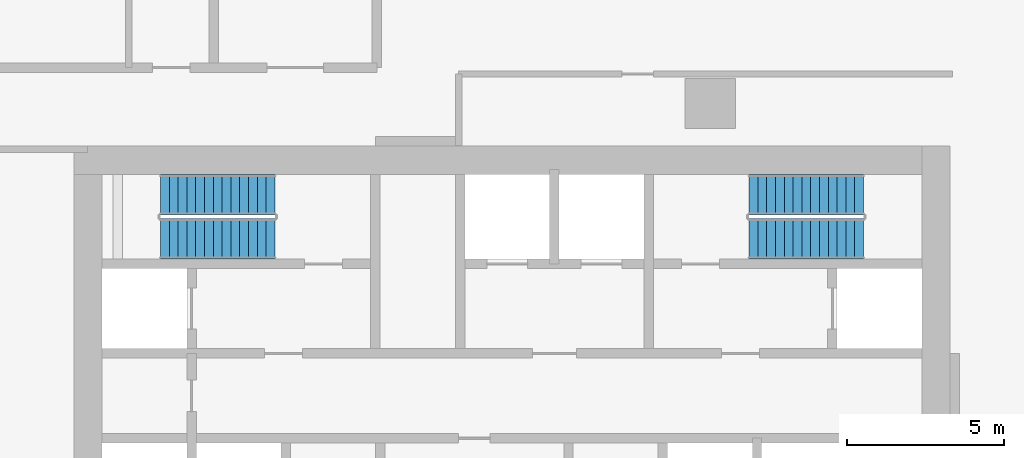
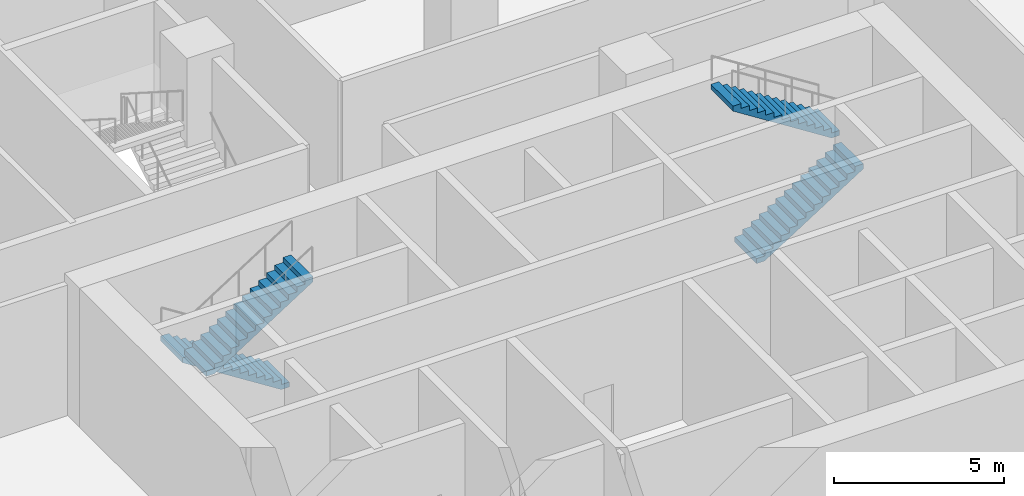
# One storey, part 13 of 31: 4 stair flights, 2 elements without a shape of their own.
"""IFC4 building model written with IfcOpenShell, lengths in metres."""

from ifc_helpers import new_model, si_unit, direction, frame, origin, place, context, subcontext, project, spatial, triangles, source, transform, mapped, material, type_object, element, aggregate, save


model = new_model("IFC4")

# Units and contexts
model_context = context("Model", 3, precision=1e-05, world=origin(), true_north=direction((0.0, 1.0)))
body_context = subcontext(model_context, "Body", "Model", "MODEL_VIEW")
ifc_project = project(units=[si_unit("LENGTHUNIT", "METRE"), si_unit("AREAUNIT", "SQUARE_METRE"), si_unit("VOLUMEUNIT", "CUBIC_METRE"), si_unit("PLANEANGLEUNIT", "RADIAN"), si_unit("MASSUNIT", "GRAM", prefix="KILO")], contexts=[model_context])

# Site, building, storey
site_placement = place(None, origin())
site = spatial("IfcSite", under=ifc_project, at=site_placement, CompositionType="ELEMENT")
building_placement = place(site_placement, origin())
building = spatial("IfcBuilding", under=site, at=building_placement, Name="Ogive Portal Towers", CompositionType="ELEMENT")
storey_placement = place(building_placement, frame((0.0, 0.0, 13.5)))
storey = spatial("IfcBuildingStorey", under=building, at=storey_placement, Name="L02", CompositionType="ELEMENT", Elevation=13.5)

# Stair, stair flights
ifc_material = material(Name="Concrete C40/50", Category="concrete")
stair_type = type_object("IfcStairType", Name="INT-STAIR", PredefinedType="HALF_TURN_STAIR", material=ifc_material)
stair_1_placement = place(storey_placement, origin())
stair_1 = element("IfcStair", 1, at=stair_1_placement, inside=storey, type_object=stair_type, Name="L02 Exit Stair ST-A1", PredefinedType="HALF_TURN_STAIR")
stair_flight_type = type_object("IfcStairFlightType", Name="INT-FLIGHT", PredefinedType="STRAIGHT", material=ifc_material)
shared_shape = source(origin(), body_context, "Body", "Tessellation", [
    triangles([(0.0, -0.650146484375, 0.0), (0.0, -0.376220703125, 0.0), (0.0, -0.192626953125, 0.0), (0.0, -0.081298828125, 0.0), (0.0, -0.024169921875, 0.0), (0.0, -0.003173828125, 0.0), (0.0, 0.0, 0.0), (0.0, 0.0029296875, 0.0), (0.0, 0.02392578125, 0.0), (0.0, 0.0810546875, 0.0), (0.0, 0.1923828125, 0.0), (0.0, 0.3759765625, 0.0), (0.0, 0.64990234375, 0.0), (0.0, -0.650146484375, 0.178466796875), (0.0, -0.376220703125, 0.178466796875), (0.0, -0.192626953125, 0.178466796875), (0.0, -0.081298828125, 0.178466796875), (0.0, -0.024169921875, 0.178466796875), (0.0, -0.003173828125, 0.178466796875), (0.0, 0.0, 0.178466796875), (0.0, 0.0029296875, 0.178466796875), (0.0, 0.02392578125, 0.178466796875), (0.0, 0.0810546875, 0.178466796875), (0.0, 0.1923828125, 0.178466796875), (0.0, 0.3759765625, 0.178466796875), (0.0, 0.64990234375, 0.178466796875), (0.280029296875, -0.650146484375, 0.178466796875), (0.280029296875, -0.376220703125, 0.178466796875), (0.280029296875, -0.192626953125, 0.178466796875), (0.280029296875, -0.081298828125, 0.178466796875), (0.280029296875, -0.024169921875, 0.178466796875), (0.280029296875, -0.003173828125, 0.178466796875), (0.280029296875, 0.0, 0.178466796875), (0.280029296875, 0.0029296875, 0.178466796875), (0.280029296875, 0.02392578125, 0.178466796875), (0.280029296875, 0.0810546875, 0.178466796875), (0.280029296875, 0.1923828125, 0.178466796875), (0.280029296875, 0.3759765625, 0.178466796875), (0.280029296875, 0.64990234375, 0.178466796875), (0.280029296875, -0.650146484375, 0.357177734375), (0.280029296875, -0.376220703125, 0.357177734375), (0.280029296875, -0.192626953125, 0.357177734375), (0.280029296875, -0.081298828125, 0.357177734375), (0.280029296875, -0.024169921875, 0.357177734375), (0.280029296875, -0.003173828125, 0.357177734375), (0.280029296875, 0.0, 0.357177734375), (0.280029296875, 0.0029296875, 0.357177734375), (0.280029296875, 0.02392578125, 0.357177734375), (0.280029296875, 0.0810546875, 0.357177734375), (0.280029296875, 0.1923828125, 0.357177734375), (0.280029296875, 0.3759765625, 0.357177734375), (0.280029296875, 0.64990234375, 0.357177734375), (0.56005859375, -0.650146484375, 0.357177734375), (0.56005859375, -0.376220703125, 0.357177734375), (0.56005859375, -0.192626953125, 0.357177734375), (0.56005859375, -0.081298828125, 0.357177734375), (0.56005859375, -0.024169921875, 0.357177734375), (0.56005859375, -0.003173828125, 0.357177734375), (0.56005859375, 0.0, 0.357177734375), (0.56005859375, 0.0029296875, 0.357177734375), (0.56005859375, 0.02392578125, 0.357177734375), (0.56005859375, 0.0810546875, 0.357177734375), (0.56005859375, 0.1923828125, 0.357177734375), (0.56005859375, 0.3759765625, 0.357177734375), (0.56005859375, 0.64990234375, 0.357177734375), (0.56005859375, -0.650146484375, 0.53564453125), (0.56005859375, -0.376220703125, 0.53564453125), (0.56005859375, -0.192626953125, 0.53564453125), (0.56005859375, -0.081298828125, 0.53564453125), (0.56005859375, -0.024169921875, 0.53564453125), (0.56005859375, -0.003173828125, 0.53564453125), (0.56005859375, 0.0, 0.53564453125), (0.56005859375, 0.0029296875, 0.53564453125), (0.56005859375, 0.02392578125, 0.53564453125), (0.56005859375, 0.0810546875, 0.53564453125), (0.56005859375, 0.1923828125, 0.53564453125), (0.56005859375, 0.3759765625, 0.53564453125), (0.56005859375, 0.64990234375, 0.53564453125), (0.840087890625, -0.650146484375, 0.53564453125), (0.840087890625, -0.376220703125, 0.53564453125), (0.840087890625, -0.192626953125, 0.53564453125), (0.840087890625, -0.081298828125, 0.53564453125), (0.840087890625, -0.024169921875, 0.53564453125), (0.840087890625, -0.003173828125, 0.53564453125), (0.840087890625, 0.0, 0.53564453125), (0.840087890625, 0.0029296875, 0.53564453125), (0.840087890625, 0.02392578125, 0.53564453125), (0.840087890625, 0.0810546875, 0.53564453125), (0.840087890625, 0.1923828125, 0.53564453125), (0.840087890625, 0.3759765625, 0.53564453125), (0.840087890625, 0.64990234375, 0.53564453125), (0.840087890625, -0.650146484375, 0.71435546875), (0.840087890625, -0.376220703125, 0.71435546875), (0.840087890625, -0.192626953125, 0.71435546875), (0.840087890625, -0.081298828125, 0.71435546875), (0.840087890625, -0.024169921875, 0.71435546875), (0.840087890625, -0.003173828125, 0.71435546875), (0.840087890625, 0.0, 0.71435546875), (0.840087890625, 0.0029296875, 0.71435546875), (0.840087890625, 0.02392578125, 0.71435546875), (0.840087890625, 0.0810546875, 0.71435546875), (0.840087890625, 0.1923828125, 0.71435546875), (0.840087890625, 0.3759765625, 0.71435546875), (0.840087890625, 0.64990234375, 0.71435546875), (1.1201171875, -0.650146484375, 0.71435546875), (1.1201171875, -0.376220703125, 0.71435546875), (1.1201171875, -0.192626953125, 0.71435546875), (1.1201171875, -0.081298828125, 0.71435546875), (1.1201171875, -0.024169921875, 0.71435546875), (1.1201171875, -0.003173828125, 0.71435546875), (1.1201171875, 0.0, 0.71435546875), (1.1201171875, 0.0029296875, 0.71435546875), (1.1201171875, 0.02392578125, 0.71435546875), (1.1201171875, 0.0810546875, 0.71435546875), (1.1201171875, 0.1923828125, 0.71435546875), (1.1201171875, 0.3759765625, 0.71435546875), (1.1201171875, 0.64990234375, 0.71435546875), (1.1201171875, -0.650146484375, 0.892822265625), (1.1201171875, -0.376220703125, 0.892822265625), (1.1201171875, -0.192626953125, 0.892822265625), (1.1201171875, -0.081298828125, 0.892822265625), (1.1201171875, -0.024169921875, 0.892822265625), (1.1201171875, -0.003173828125, 0.892822265625), (1.1201171875, 0.0, 0.892822265625), (1.1201171875, 0.0029296875, 0.892822265625), (1.1201171875, 0.02392578125, 0.892822265625), (1.1201171875, 0.0810546875, 0.892822265625), (1.1201171875, 0.1923828125, 0.892822265625), (1.1201171875, 0.3759765625, 0.892822265625), (1.1201171875, 0.64990234375, 0.892822265625), (1.39990234375, -0.650146484375, 0.892822265625), (1.39990234375, -0.376220703125, 0.892822265625), (1.39990234375, -0.192626953125, 0.892822265625), (1.39990234375, -0.081298828125, 0.892822265625), (1.39990234375, -0.024169921875, 0.892822265625), (1.39990234375, -0.003173828125, 0.892822265625), (1.39990234375, 0.0, 0.892822265625), (1.39990234375, 0.0029296875, 0.892822265625), (1.39990234375, 0.02392578125, 0.892822265625), (1.39990234375, 0.0810546875, 0.892822265625), (1.39990234375, 0.1923828125, 0.892822265625), (1.39990234375, 0.3759765625, 0.892822265625), (1.39990234375, 0.64990234375, 0.892822265625), (1.39990234375, -0.650146484375, 1.071533203125), (1.39990234375, -0.376220703125, 1.071533203125), (1.39990234375, -0.192626953125, 1.071533203125), (1.39990234375, -0.081298828125, 1.071533203125), (1.39990234375, -0.024169921875, 1.071533203125), (1.39990234375, -0.003173828125, 1.071533203125), (1.39990234375, 0.0, 1.071533203125), (1.39990234375, 0.0029296875, 1.071533203125), (1.39990234375, 0.02392578125, 1.071533203125), (1.39990234375, 0.0810546875, 1.071533203125), (1.39990234375, 0.1923828125, 1.071533203125), (1.39990234375, 0.3759765625, 1.071533203125), (1.39990234375, 0.64990234375, 1.071533203125), (1.679931640625, -0.650146484375, 1.071533203125), (1.679931640625, -0.376220703125, 1.071533203125), (1.679931640625, -0.192626953125, 1.071533203125), (1.679931640625, -0.081298828125, 1.071533203125), (1.679931640625, -0.024169921875, 1.071533203125), (1.679931640625, -0.003173828125, 1.071533203125), (1.679931640625, 0.0, 1.071533203125), (1.679931640625, 0.0029296875, 1.071533203125), (1.679931640625, 0.02392578125, 1.071533203125), (1.679931640625, 0.0810546875, 1.071533203125), (1.679931640625, 0.1923828125, 1.071533203125), (1.679931640625, 0.3759765625, 1.071533203125), (1.679931640625, 0.64990234375, 1.071533203125), (1.679931640625, -0.650146484375, 1.25), (1.679931640625, -0.376220703125, 1.25), (1.679931640625, -0.192626953125, 1.25), (1.679931640625, -0.081298828125, 1.25), (1.679931640625, -0.024169921875, 1.25), (1.679931640625, -0.003173828125, 1.25), (1.679931640625, 0.0, 1.25), (1.679931640625, 0.0029296875, 1.25), (1.679931640625, 0.02392578125, 1.25), (1.679931640625, 0.0810546875, 1.25), (1.679931640625, 0.1923828125, 1.25), (1.679931640625, 0.3759765625, 1.25), (1.679931640625, 0.64990234375, 1.25), (1.9599609375, -0.650146484375, 1.25), (1.9599609375, -0.376220703125, 1.25), (1.9599609375, -0.192626953125, 1.25), (1.9599609375, -0.081298828125, 1.25), (1.9599609375, -0.024169921875, 1.25), (1.9599609375, -0.003173828125, 1.25), (1.9599609375, 0.0, 1.25), (1.9599609375, 0.0029296875, 1.25), (1.9599609375, 0.02392578125, 1.25), (1.9599609375, 0.0810546875, 1.25), (1.9599609375, 0.1923828125, 1.25), (1.9599609375, 0.3759765625, 1.25), (1.9599609375, 0.64990234375, 1.25), (1.9599609375, -0.650146484375, 1.428466796875), (1.9599609375, -0.376220703125, 1.428466796875), (1.9599609375, -0.192626953125, 1.428466796875), (1.9599609375, -0.081298828125, 1.428466796875), (1.9599609375, -0.024169921875, 1.428466796875), (1.9599609375, -0.003173828125, 1.428466796875), (1.9599609375, 0.0, 1.428466796875), (1.9599609375, 0.0029296875, 1.428466796875), (1.9599609375, 0.02392578125, 1.428466796875), (1.9599609375, 0.0810546875, 1.428466796875), (1.9599609375, 0.1923828125, 1.428466796875), (1.9599609375, 0.3759765625, 1.428466796875), (1.9599609375, 0.64990234375, 1.428466796875), (2.239990234375, -0.650146484375, 1.428466796875), (2.239990234375, -0.376220703125, 1.428466796875), (2.239990234375, -0.192626953125, 1.428466796875), (2.239990234375, -0.081298828125, 1.428466796875), (2.239990234375, -0.024169921875, 1.428466796875), (2.239990234375, -0.003173828125, 1.428466796875), (2.239990234375, 0.0, 1.428466796875), (2.239990234375, 0.0029296875, 1.428466796875), (2.239990234375, 0.02392578125, 1.428466796875), (2.239990234375, 0.0810546875, 1.428466796875), (2.239990234375, 0.1923828125, 1.428466796875), (2.239990234375, 0.3759765625, 1.428466796875), (2.239990234375, 0.64990234375, 1.428466796875), (2.239990234375, -0.650146484375, 1.607177734375), (2.239990234375, -0.376220703125, 1.607177734375), (2.239990234375, -0.192626953125, 1.607177734375), (2.239990234375, -0.081298828125, 1.607177734375), (2.239990234375, -0.024169921875, 1.607177734375), (2.239990234375, -0.003173828125, 1.607177734375), (2.239990234375, 0.0, 1.607177734375), (2.239990234375, 0.0029296875, 1.607177734375), (2.239990234375, 0.02392578125, 1.607177734375), (2.239990234375, 0.0810546875, 1.607177734375), (2.239990234375, 0.1923828125, 1.607177734375), (2.239990234375, 0.3759765625, 1.607177734375), (2.239990234375, 0.64990234375, 1.607177734375), (2.52001953125, -0.650146484375, 1.607177734375), (2.52001953125, -0.376220703125, 1.607177734375), (2.52001953125, -0.192626953125, 1.607177734375), (2.52001953125, -0.081298828125, 1.607177734375), (2.52001953125, -0.024169921875, 1.607177734375), (2.52001953125, -0.003173828125, 1.607177734375), (2.52001953125, 0.0, 1.607177734375), (2.52001953125, 0.0029296875, 1.607177734375), (2.52001953125, 0.02392578125, 1.607177734375), (2.52001953125, 0.0810546875, 1.607177734375), (2.52001953125, 0.1923828125, 1.607177734375), (2.52001953125, 0.3759765625, 1.607177734375), (2.52001953125, 0.64990234375, 1.607177734375), (2.52001953125, -0.650146484375, 1.78564453125), (2.52001953125, -0.376220703125, 1.78564453125), (2.52001953125, -0.192626953125, 1.78564453125), (2.52001953125, -0.081298828125, 1.78564453125), (2.52001953125, -0.024169921875, 1.78564453125), (2.52001953125, -0.003173828125, 1.78564453125), (2.52001953125, 0.0, 1.78564453125), (2.52001953125, 0.0029296875, 1.78564453125), (2.52001953125, 0.02392578125, 1.78564453125), (2.52001953125, 0.0810546875, 1.78564453125), (2.52001953125, 0.1923828125, 1.78564453125), (2.52001953125, 0.3759765625, 1.78564453125), (2.52001953125, 0.64990234375, 1.78564453125), (2.800048828125, -0.650146484375, 1.78564453125), (2.800048828125, -0.376220703125, 1.78564453125), (2.800048828125, -0.192626953125, 1.78564453125), (2.800048828125, -0.081298828125, 1.78564453125), (2.800048828125, -0.024169921875, 1.78564453125), (2.800048828125, -0.003173828125, 1.78564453125), (2.800048828125, 0.0, 1.78564453125), (2.800048828125, 0.0029296875, 1.78564453125), (2.800048828125, 0.02392578125, 1.78564453125), (2.800048828125, 0.0810546875, 1.78564453125), (2.800048828125, 0.1923828125, 1.78564453125), (2.800048828125, 0.3759765625, 1.78564453125), (2.800048828125, 0.64990234375, 1.78564453125), (2.800048828125, -0.650146484375, 1.96435546875), (2.800048828125, -0.376220703125, 1.96435546875), (2.800048828125, -0.192626953125, 1.96435546875), (2.800048828125, -0.081298828125, 1.96435546875), (2.800048828125, -0.024169921875, 1.96435546875), (2.800048828125, -0.003173828125, 1.96435546875), (2.800048828125, 0.0, 1.96435546875), (2.800048828125, 0.0029296875, 1.96435546875), (2.800048828125, 0.02392578125, 1.96435546875), (2.800048828125, 0.0810546875, 1.96435546875), (2.800048828125, 0.1923828125, 1.96435546875), (2.800048828125, 0.3759765625, 1.96435546875), (2.800048828125, 0.64990234375, 1.96435546875), (3.080078125, -0.650146484375, 1.96435546875), (3.080078125, -0.376220703125, 1.96435546875), (3.080078125, -0.192626953125, 1.96435546875), (3.080078125, -0.081298828125, 1.96435546875), (3.080078125, -0.024169921875, 1.96435546875), (3.080078125, -0.003173828125, 1.96435546875), (3.080078125, 0.0, 1.96435546875), (3.080078125, 0.0029296875, 1.96435546875), (3.080078125, 0.02392578125, 1.96435546875), (3.080078125, 0.0810546875, 1.96435546875), (3.080078125, 0.1923828125, 1.96435546875), (3.080078125, 0.3759765625, 1.96435546875), (3.080078125, 0.64990234375, 1.96435546875), (3.080078125, -0.650146484375, 2.142822265625), (3.080078125, -0.376220703125, 2.142822265625), (3.080078125, -0.192626953125, 2.142822265625), (3.080078125, -0.081298828125, 2.142822265625), (3.080078125, -0.024169921875, 2.142822265625), (3.080078125, -0.003173828125, 2.142822265625), (3.080078125, 0.0, 2.142822265625), (3.080078125, 0.0029296875, 2.142822265625), (3.080078125, 0.02392578125, 2.142822265625), (3.080078125, 0.0810546875, 2.142822265625), (3.080078125, 0.1923828125, 2.142822265625), (3.080078125, 0.3759765625, 2.142822265625), (3.080078125, 0.64990234375, 2.142822265625), (3.360107421875, -0.650146484375, 2.142822265625), (3.360107421875, -0.376220703125, 2.142822265625), (3.360107421875, -0.192626953125, 2.142822265625), (3.360107421875, -0.081298828125, 2.142822265625), (3.360107421875, -0.024169921875, 2.142822265625), (3.360107421875, -0.003173828125, 2.142822265625), (3.360107421875, 0.0, 2.142822265625), (3.360107421875, 0.0029296875, 2.142822265625), (3.360107421875, 0.02392578125, 2.142822265625), (3.360107421875, 0.0810546875, 2.142822265625), (3.360107421875, 0.1923828125, 2.142822265625), (3.360107421875, 0.3759765625, 2.142822265625), (3.360107421875, 0.64990234375, 2.142822265625), (3.360107421875, -0.650146484375, 2.321533203125), (3.360107421875, -0.376220703125, 2.321533203125), (3.360107421875, -0.192626953125, 2.321533203125), (3.360107421875, -0.081298828125, 2.321533203125), (3.360107421875, -0.024169921875, 2.321533203125), (3.360107421875, -0.003173828125, 2.321533203125), (3.360107421875, 0.0, 2.321533203125), (3.360107421875, 0.0029296875, 2.321533203125), (3.360107421875, 0.02392578125, 2.321533203125), (3.360107421875, 0.0810546875, 2.321533203125), (3.360107421875, 0.1923828125, 2.321533203125), (3.360107421875, 0.3759765625, 2.321533203125), (3.360107421875, 0.64990234375, 2.321533203125), (3.639892578125, -0.650146484375, 2.321533203125), (3.639892578125, -0.376220703125, 2.321533203125), (3.639892578125, -0.192626953125, 2.321533203125), (3.639892578125, -0.081298828125, 2.321533203125), (3.639892578125, -0.024169921875, 2.321533203125), (3.639892578125, -0.003173828125, 2.321533203125), (3.639892578125, 0.0, 2.321533203125), (3.639892578125, 0.0029296875, 2.321533203125), (3.639892578125, 0.02392578125, 2.321533203125), (3.639892578125, 0.0810546875, 2.321533203125), (3.639892578125, 0.1923828125, 2.321533203125), (3.639892578125, 0.3759765625, 2.321533203125), (3.639892578125, 0.64990234375, 2.321533203125), (3.639892578125, -0.650146484375, 2.1435546875), (3.639892578125, -0.376220703125, 2.1435546875), (3.639892578125, -0.192626953125, 2.1435546875), (3.639892578125, -0.081298828125, 2.1435546875), (3.639892578125, -0.024169921875, 2.1435546875), (3.639892578125, -0.003173828125, 2.1435546875), (3.639892578125, 0.0, 2.1435546875), (3.639892578125, 0.0029296875, 2.1435546875), (3.639892578125, 0.02392578125, 2.1435546875), (3.639892578125, 0.0810546875, 2.1435546875), (3.639892578125, 0.1923828125, 2.1435546875), (3.639892578125, 0.3759765625, 2.1435546875), (3.639892578125, 0.64990234375, 2.1435546875), (0.27880859375, -0.650146484375, 0.0), (0.27880859375, -0.376220703125, 0.0), (0.27880859375, -0.192626953125, 0.0), (0.27880859375, -0.081298828125, 0.0), (0.27880859375, -0.024169921875, 0.0), (0.27880859375, -0.003173828125, 0.0), (0.27880859375, 0.0, 0.0), (0.27880859375, 0.0029296875, 0.0), (0.27880859375, 0.02392578125, 0.0), (0.27880859375, 0.0810546875, 0.0), (0.27880859375, 0.1923828125, 0.0), (0.27880859375, 0.3759765625, 0.0), (0.27880859375, 0.64990234375, 0.0)], [[1, 14, 15], [1, 15, 2], [2, 15, 16], [2, 16, 3], [3, 16, 17], [3, 17, 4], [4, 17, 18], [4, 18, 5], [5, 18, 19], [5, 19, 6], [6, 19, 20], [6, 20, 7], [7, 20, 21], [7, 21, 8], [8, 21, 22], [8, 22, 9], [9, 22, 23], [9, 23, 10], [10, 23, 24], [10, 24, 11], [11, 24, 25], [11, 25, 12], [12, 25, 26], [12, 26, 13], [14, 27, 28], [14, 28, 15], [15, 28, 29], [15, 29, 16], [16, 29, 30], [16, 30, 17], [17, 30, 31], [17, 31, 18], [18, 31, 32], [18, 32, 19], [19, 32, 33], [19, 33, 20], [20, 33, 34], [20, 34, 21], [21, 34, 35], [21, 35, 22], [22, 35, 36], [22, 36, 23], [23, 36, 37], [23, 37, 24], [24, 37, 38], [24, 38, 25], [25, 38, 39], [25, 39, 26], [27, 40, 41], [27, 41, 28], [28, 41, 42], [28, 42, 29], [29, 42, 43], [29, 43, 30], [30, 43, 44], [30, 44, 31], [31, 44, 45], [31, 45, 32], [32, 45, 46], [32, 46, 33], [33, 46, 47], [33, 47, 34], [34, 47, 48], [34, 48, 35], [35, 48, 49], [35, 49, 36], [36, 49, 50], [36, 50, 37], [37, 50, 51], [37, 51, 38], [38, 51, 52], [38, 52, 39], [40, 53, 54], [40, 54, 41], [41, 54, 55], [41, 55, 42], [42, 55, 56], [42, 56, 43], [43, 56, 57], [43, 57, 44], [44, 57, 58], [44, 58, 45], [45, 58, 59], [45, 59, 46], [46, 59, 60], [46, 60, 47], [47, 60, 61], [47, 61, 48], [48, 61, 62], [48, 62, 49], [49, 62, 63], [49, 63, 50], [50, 63, 64], [50, 64, 51], [51, 64, 65], [51, 65, 52], [53, 66, 67], [53, 67, 54], [54, 67, 68], [54, 68, 55], [55, 68, 69], [55, 69, 56], [56, 69, 70], [56, 70, 57], [57, 70, 71], [57, 71, 58], [58, 71, 72], [58, 72, 59], [59, 72, 73], [59, 73, 60], [60, 73, 74], [60, 74, 61], [61, 74, 75], [61, 75, 62], [62, 75, 76], [62, 76, 63], [63, 76, 77], [63, 77, 64], [64, 77, 78], [64, 78, 65], [66, 79, 80], [66, 80, 67], [67, 80, 81], [67, 81, 68], [68, 81, 82], [68, 82, 69], [69, 82, 83], [69, 83, 70], [70, 83, 84], [70, 84, 71], [71, 84, 85], [71, 85, 72], [72, 85, 86], [72, 86, 73], [73, 86, 87], [73, 87, 74], [74, 87, 88], [74, 88, 75], [75, 88, 89], [75, 89, 76], [76, 89, 90], [76, 90, 77], [77, 90, 91], [77, 91, 78], [79, 92, 93], [79, 93, 80], [80, 93, 94], [80, 94, 81], [81, 94, 95], [81, 95, 82], [82, 95, 96], [82, 96, 83], [83, 96, 97], [83, 97, 84], [84, 97, 98], [84, 98, 85], [85, 98, 99], [85, 99, 86], [86, 99, 100], [86, 100, 87], [87, 100, 101], [87, 101, 88], [88, 101, 102], [88, 102, 89], [89, 102, 103], [89, 103, 90], [90, 103, 104], [90, 104, 91], [92, 105, 106], [92, 106, 93], [93, 106, 107], [93, 107, 94], [94, 107, 108], [94, 108, 95], [95, 108, 109], [95, 109, 96], [96, 109, 110], [96, 110, 97], [97, 110, 111], [97, 111, 98], [98, 111, 112], [98, 112, 99], [99, 112, 113], [99, 113, 100], [100, 113, 114], [100, 114, 101], [101, 114, 115], [101, 115, 102], [102, 115, 116], [102, 116, 103], [103, 116, 117], [103, 117, 104], [105, 118, 119], [105, 119, 106], [106, 119, 120], [106, 120, 107], [107, 120, 121], [107, 121, 108], [108, 121, 122], [108, 122, 109], [109, 122, 123], [109, 123, 110], [110, 123, 124], [110, 124, 111], [111, 124, 125], [111, 125, 112], [112, 125, 126], [112, 126, 113], [113, 126, 127], [113, 127, 114], [114, 127, 128], [114, 128, 115], [115, 128, 129], [115, 129, 116], [116, 129, 130], [116, 130, 117], [118, 131, 132], [118, 132, 119], [119, 132, 133], [119, 133, 120], [120, 133, 134], [120, 134, 121], [121, 134, 135], [121, 135, 122], [122, 135, 136], [122, 136, 123], [123, 136, 137], [123, 137, 124], [124, 137, 138], [124, 138, 125], [125, 138, 139], [125, 139, 126], [126, 139, 140], [126, 140, 127], [127, 140, 141], [127, 141, 128], [128, 141, 142], [128, 142, 129], [129, 142, 143], [129, 143, 130], [131, 144, 145], [131, 145, 132], [132, 145, 146], [132, 146, 133], [133, 146, 147], [133, 147, 134], [134, 147, 148], [134, 148, 135], [135, 148, 149], [135, 149, 136], [136, 149, 150], [136, 150, 137], [137, 150, 151], [137, 151, 138], [138, 151, 152], [138, 152, 139], [139, 152, 153], [139, 153, 140], [140, 153, 154], [140, 154, 141], [141, 154, 155], [141, 155, 142], [142, 155, 156], [142, 156, 143], [144, 157, 158], [144, 158, 145], [145, 158, 159], [145, 159, 146], [146, 159, 160], [146, 160, 147], [147, 160, 161], [147, 161, 148], [148, 161, 162], [148, 162, 149], [149, 162, 163], [149, 163, 150], [150, 163, 164], [150, 164, 151], [151, 164, 165], [151, 165, 152], [152, 165, 166], [152, 166, 153], [153, 166, 167], [153, 167, 154], [154, 167, 168], [154, 168, 155], [155, 168, 169], [155, 169, 156], [157, 170, 171], [157, 171, 158], [158, 171, 172], [158, 172, 159], [159, 172, 173], [159, 173, 160], [160, 173, 174], [160, 174, 161], [161, 174, 175], [161, 175, 162], [162, 175, 176], [162, 176, 163], [163, 176, 177], [163, 177, 164], [164, 177, 178], [164, 178, 165], [165, 178, 179], [165, 179, 166], [166, 179, 180], [166, 180, 167], [167, 180, 181], [167, 181, 168], [168, 181, 182], [168, 182, 169], [170, 183, 184], [170, 184, 171], [171, 184, 185], [171, 185, 172], [172, 185, 186], [172, 186, 173], [173, 186, 187], [173, 187, 174], [174, 187, 188], [174, 188, 175], [175, 188, 189], [175, 189, 176], [176, 189, 190], [176, 190, 177], [177, 190, 191], [177, 191, 178], [178, 191, 192], [178, 192, 179], [179, 192, 193], [179, 193, 180], [180, 193, 194], [180, 194, 181], [181, 194, 195], [181, 195, 182], [183, 196, 197], [183, 197, 184], [184, 197, 198], [184, 198, 185], [185, 198, 199], [185, 199, 186], [186, 199, 200], [186, 200, 187], [187, 200, 201], [187, 201, 188], [188, 201, 202], [188, 202, 189], [189, 202, 203], [189, 203, 190], [190, 203, 204], [190, 204, 191], [191, 204, 205], [191, 205, 192], [192, 205, 206], [192, 206, 193], [193, 206, 207], [193, 207, 194], [194, 207, 208], [194, 208, 195], [196, 209, 210], [196, 210, 197], [197, 210, 211], [197, 211, 198], [198, 211, 212], [198, 212, 199], [199, 212, 213], [199, 213, 200], [200, 213, 214], [200, 214, 201], [201, 214, 215], [201, 215, 202], [202, 215, 216], [202, 216, 203], [203, 216, 217], [203, 217, 204], [204, 217, 218], [204, 218, 205], [205, 218, 219], [205, 219, 206], [206, 219, 220], [206, 220, 207], [207, 220, 221], [207, 221, 208], [209, 222, 223], [209, 223, 210], [210, 223, 224], [210, 224, 211], [211, 224, 225], [211, 225, 212], [212, 225, 226], [212, 226, 213], [213, 226, 227], [213, 227, 214], [214, 227, 228], [214, 228, 215], [215, 228, 229], [215, 229, 216], [216, 229, 230], [216, 230, 217], [217, 230, 231], [217, 231, 218], [218, 231, 232], [218, 232, 219], [219, 232, 233], [219, 233, 220], [220, 233, 234], [220, 234, 221], [222, 235, 236], [222, 236, 223], [223, 236, 237], [223, 237, 224], [224, 237, 238], [224, 238, 225], [225, 238, 239], [225, 239, 226], [226, 239, 240], [226, 240, 227], [227, 240, 241], [227, 241, 228], [228, 241, 242], [228, 242, 229], [229, 242, 243], [229, 243, 230], [230, 243, 244], [230, 244, 231], [231, 244, 245], [231, 245, 232], [232, 245, 246], [232, 246, 233], [233, 246, 247], [233, 247, 234], [235, 248, 249], [235, 249, 236], [236, 249, 250], [236, 250, 237], [237, 250, 251], [237, 251, 238], [238, 251, 252], [238, 252, 239], [239, 252, 253], [239, 253, 240], [240, 253, 254], [240, 254, 241], [241, 254, 255], [241, 255, 242], [242, 255, 256], [242, 256, 243], [243, 256, 257], [243, 257, 244], [244, 257, 258], [244, 258, 245], [245, 258, 259], [245, 259, 246], [246, 259, 260], [246, 260, 247], [248, 261, 262], [248, 262, 249], [249, 262, 263], [249, 263, 250], [250, 263, 264], [250, 264, 251], [251, 264, 265], [251, 265, 252], [252, 265, 266], [252, 266, 253], [253, 266, 267], [253, 267, 254], [254, 267, 268], [254, 268, 255], [255, 268, 269], [255, 269, 256], [256, 269, 270], [256, 270, 257], [257, 270, 271], [257, 271, 258], [258, 271, 272], [258, 272, 259], [259, 272, 273], [259, 273, 260], [261, 274, 275], [261, 275, 262], [262, 275, 276], [262, 276, 263], [263, 276, 277], [263, 277, 264], [264, 277, 278], [264, 278, 265], [265, 278, 279], [265, 279, 266], [266, 279, 280], [266, 280, 267], [267, 280, 281], [267, 281, 268], [268, 281, 282], [268, 282, 269], [269, 282, 283], [269, 283, 270], [270, 283, 284], [270, 284, 271], [271, 284, 285], [271, 285, 272], [272, 285, 286], [272, 286, 273], [274, 287, 288], [274, 288, 275], [275, 288, 289], [275, 289, 276], [276, 289, 290], [276, 290, 277], [277, 290, 291], [277, 291, 278], [278, 291, 292], [278, 292, 279], [279, 292, 293], [279, 293, 280], [280, 293, 294], [280, 294, 281], [281, 294, 295], [281, 295, 282], [282, 295, 296], [282, 296, 283], [283, 296, 297], [283, 297, 284], [284, 297, 298], [284, 298, 285], [285, 298, 299], [285, 299, 286], [287, 300, 301], [287, 301, 288], [288, 301, 302], [288, 302, 289], [289, 302, 303], [289, 303, 290], [290, 303, 304], [290, 304, 291], [291, 304, 305], [291, 305, 292], [292, 305, 306], [292, 306, 293], [293, 306, 307], [293, 307, 294], [294, 307, 308], [294, 308, 295], [295, 308, 309], [295, 309, 296], [296, 309, 310], [296, 310, 297], [297, 310, 311], [297, 311, 298], [298, 311, 312], [298, 312, 299], [300, 313, 314], [300, 314, 301], [301, 314, 315], [301, 315, 302], [302, 315, 316], [302, 316, 303], [303, 316, 317], [303, 317, 304], [304, 317, 318], [304, 318, 305], [305, 318, 319], [305, 319, 306], [306, 319, 320], [306, 320, 307], [307, 320, 321], [307, 321, 308], [308, 321, 322], [308, 322, 309], [309, 322, 323], [309, 323, 310], [310, 323, 324], [310, 324, 311], [311, 324, 325], [311, 325, 312], [313, 326, 327], [313, 327, 314], [314, 327, 328], [314, 328, 315], [315, 328, 329], [315, 329, 316], [316, 329, 330], [316, 330, 317], [317, 330, 331], [317, 331, 318], [318, 331, 332], [318, 332, 319], [319, 332, 333], [319, 333, 320], [320, 333, 334], [320, 334, 321], [321, 334, 335], [321, 335, 322], [322, 335, 336], [322, 336, 323], [323, 336, 337], [323, 337, 324], [324, 337, 338], [324, 338, 325], [326, 339, 340], [326, 340, 327], [327, 340, 341], [327, 341, 328], [328, 341, 342], [328, 342, 329], [329, 342, 343], [329, 343, 330], [330, 343, 344], [330, 344, 331], [331, 344, 345], [331, 345, 332], [332, 345, 346], [332, 346, 333], [333, 346, 347], [333, 347, 334], [334, 347, 348], [334, 348, 335], [335, 348, 349], [335, 349, 336], [336, 349, 350], [336, 350, 337], [337, 350, 351], [337, 351, 338], [339, 352, 353], [339, 353, 340], [340, 353, 354], [340, 354, 341], [341, 354, 355], [341, 355, 342], [342, 355, 356], [342, 356, 343], [343, 356, 357], [343, 357, 344], [344, 357, 358], [344, 358, 345], [345, 358, 359], [345, 359, 346], [346, 359, 360], [346, 360, 347], [347, 360, 361], [347, 361, 348], [348, 361, 362], [348, 362, 349], [349, 362, 363], [349, 363, 350], [350, 363, 364], [350, 364, 351], [352, 365, 366], [352, 366, 353], [353, 366, 367], [353, 367, 354], [354, 367, 368], [354, 368, 355], [355, 368, 369], [355, 369, 356], [356, 369, 370], [356, 370, 357], [357, 370, 371], [357, 371, 358], [358, 371, 372], [358, 372, 359], [359, 372, 373], [359, 373, 360], [360, 373, 374], [360, 374, 361], [361, 374, 375], [361, 375, 362], [362, 375, 376], [362, 376, 363], [363, 376, 377], [363, 377, 364], [365, 1, 2], [365, 2, 366], [366, 2, 3], [366, 3, 367], [367, 3, 4], [367, 4, 368], [368, 4, 5], [368, 5, 369], [369, 5, 6], [369, 6, 370], [370, 6, 7], [370, 7, 371], [371, 7, 8], [371, 8, 372], [372, 8, 9], [372, 9, 373], [373, 9, 10], [373, 10, 374], [374, 10, 11], [374, 11, 375], [375, 11, 12], [375, 12, 376], [376, 12, 13], [376, 13, 377], [1, 365, 352], [13, 364, 377], [352, 339, 326], [364, 338, 351], [352, 326, 313], [364, 325, 338], [313, 300, 287], [325, 299, 312], [352, 313, 287], [364, 299, 325], [287, 274, 261], [299, 273, 286], [352, 287, 261], [364, 273, 299], [261, 248, 235], [273, 247, 260], [352, 261, 235], [364, 247, 273], [235, 222, 209], [247, 221, 234], [352, 235, 209], [364, 221, 247], [209, 196, 183], [221, 195, 208], [352, 209, 183], [364, 195, 221], [183, 170, 157], [195, 169, 182], [352, 183, 157], [364, 169, 195], [157, 144, 131], [169, 143, 156], [352, 157, 131], [364, 143, 169], [131, 118, 105], [143, 117, 130], [352, 131, 105], [364, 117, 143], [105, 92, 79], [117, 91, 104], [352, 105, 79], [364, 91, 117], [79, 66, 53], [91, 65, 78], [352, 79, 53], [364, 65, 91], [53, 40, 27], [65, 39, 52], [352, 53, 27], [364, 39, 65], [1, 352, 27], [13, 39, 364], [27, 14, 1], [39, 13, 26]], closed=True),
])
stair_flight_1_placement = place(storey_placement, frame((37.449951171875, 38.39990234375, 0.0), z_axis=(0.0, 0.0, 1.0), x_axis=(-1.0, 0.0, 0.0)))
stair_flight_1 = element("IfcStairFlight", 2, at=stair_flight_1_placement, type_object=stair_flight_type, Name="ST-A1 flight 1", NumberOfRisers=14, NumberOfTreads=13, PredefinedType="STRAIGHT", RiserHeight=0.178571429, TreadLength=0.28, context=body_context, shape_type="MappedRepresentation", body=[
    mapped(shared_shape, transform((0.0, 0.0, 0.0), scale=1.0)),
])
stair_flight_2_placement = place(storey_placement, frame((33.81005859375, 37.0, 2.5), z_axis=(0.0, 0.0, 1.0), x_axis=(1.0, 0.0, 0.0)))
stair_flight_2 = element("IfcStairFlight", 3, at=stair_flight_2_placement, type_object=stair_flight_type, Name="ST-A1 flight 2", NumberOfRisers=14, NumberOfTreads=13, PredefinedType="STRAIGHT", RiserHeight=0.178571429, TreadLength=0.28, context=body_context, shape_type="MappedRepresentation", body=[
    mapped(shared_shape, transform((0.0, 0.0, 0.0), scale=1.0)),
])
aggregate(stair_1, [stair_flight_1, stair_flight_2])

stair_2_placement = place(storey_placement, origin())
stair_2 = element("IfcStair", 4, at=stair_2_placement, inside=storey, type_object=stair_type, Name="L02 Exit Stair ST-A2", PredefinedType="HALF_TURN_STAIR")
stair_flight_3_placement = place(storey_placement, frame((52.550048828125, 37.0, 0.0), z_axis=(0.0, 0.0, 1.0), x_axis=(1.0, 0.0, 0.0)))
stair_flight_3 = element("IfcStairFlight", 5, at=stair_flight_3_placement, type_object=stair_flight_type, Name="ST-A2 flight 1", NumberOfRisers=14, NumberOfTreads=13, PredefinedType="STRAIGHT", RiserHeight=0.178571429, TreadLength=0.28, context=body_context, shape_type="MappedRepresentation", body=[
    mapped(shared_shape, transform((0.0, 0.0, 0.0), scale=1.0)),
])
stair_flight_4_placement = place(storey_placement, frame((56.18994140625, 38.39990234375, 2.5), z_axis=(0.0, 0.0, 1.0), x_axis=(-1.0, 0.0, 0.0)))
stair_flight_4 = element("IfcStairFlight", 6, at=stair_flight_4_placement, type_object=stair_flight_type, Name="ST-A2 flight 2", NumberOfRisers=14, NumberOfTreads=13, PredefinedType="STRAIGHT", RiserHeight=0.178571429, TreadLength=0.28, context=body_context, shape_type="MappedRepresentation", body=[
    mapped(shared_shape, transform((0.0, 0.0, 0.0), scale=1.0)),
])
aggregate(stair_2, [stair_flight_3, stair_flight_4])

save(model, "model.ifc")
